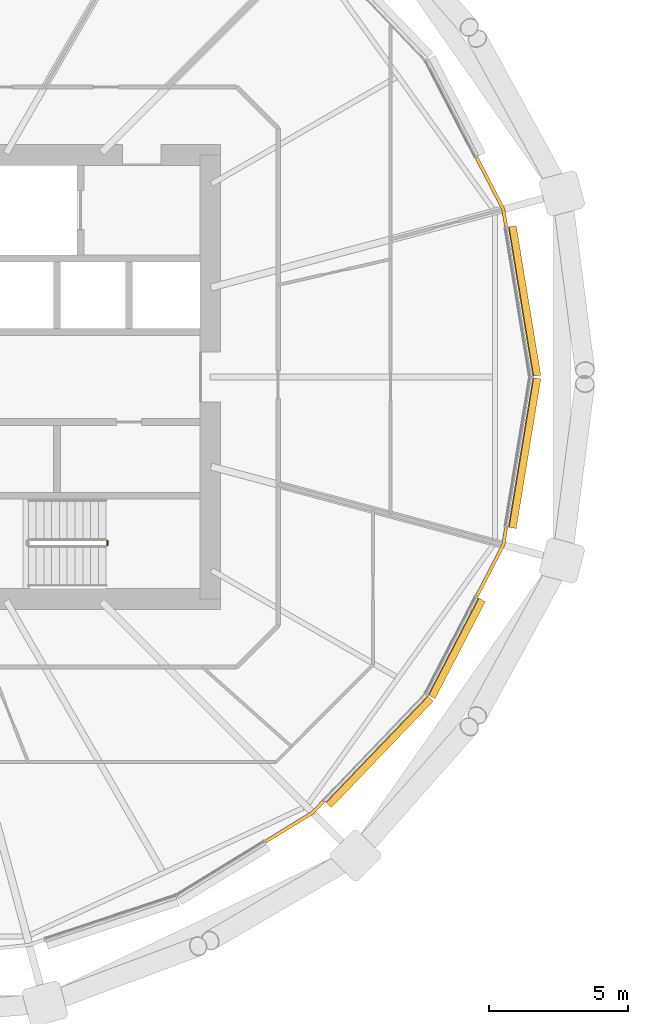
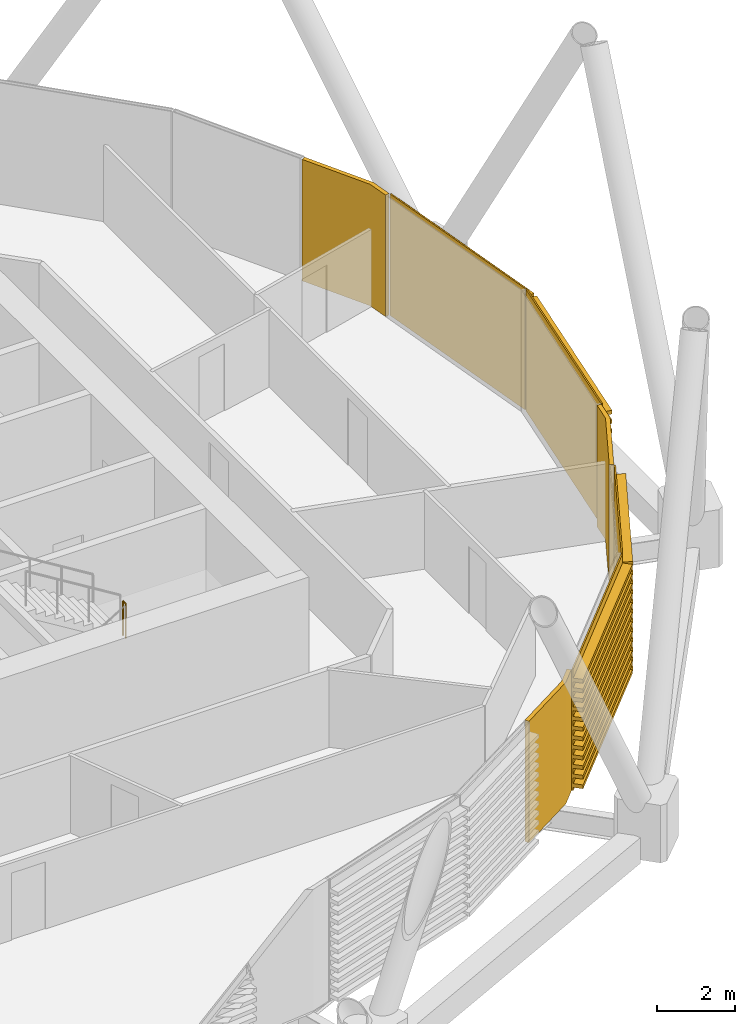
# One storey, part 33 of 38: 7 coverings, 1 railing.
"""IFC4 building model written with IfcOpenShell, lengths in metres."""

import ifcopenshell
import ifcopenshell.guid

model = None  # the IFC model being written
_history = None  # IfcOwnerHistory: only IFC2X3 demands one
_inside = {}  # id of a spatial element -> (the spatial element, [elements in it])
_under = {}  # id of a project, library or spatial element -> (it, [spatial elements below it])
_declared = {}  # id of a project -> (the project, [libraries it declares])
_typed = {}  # id of a type object -> (the type object, [elements of that type])
_made_of = {}  # id of a material, layer set ... -> (it, [elements and type objects made of it])


def new_model(schema):
    """Start an empty IFC model of exactly this schema.

    Asked for "IFC4X3", IfcOpenShell would pick the latest addendum, in which some entities
    have other attributes; the version numbers below select the first issue.
    IFC2X3 requires an IfcOwnerHistory on every rooted entity: one is made here for all.
    """
    global model, _history
    if schema == "IFC4X3":
        model = ifcopenshell.file(schema_version=(4, 3, 0, 0))
    else:
        model = ifcopenshell.file(schema=schema)
    _inside.clear()
    _under.clear()
    _declared.clear()
    _typed.clear()
    _made_of.clear()
    _history = None
    if model.schema == "IFC2X3":
        org = make("IfcOrganization", Name="unknown")
        user = make(
            "IfcPersonAndOrganization",
            ThePerson=make("IfcPerson", FamilyName="unknown"),
            TheOrganization=org,
        )
        app = make(
            "IfcApplication",
            ApplicationDeveloper=org,
            Version="unknown",
            ApplicationFullName="unknown",
            ApplicationIdentifier="unknown",
        )
        _history = make(
            "IfcOwnerHistory",
            OwningUser=user,
            OwningApplication=app,
            ChangeAction="ADDED",
            CreationDate=0,
        )
    return model


def make(cls, **values):
    """One entity of the class cls with the attributes given. An attribute that is None is left unset."""
    return model.create_entity(
        cls, **{name: value for name, value in values.items() if value is not None}
    )


def rooted(cls, **values):
    """An entity with a GlobalId (a new one), such as an element, a storey or a relation."""
    return make(cls, GlobalId=ifcopenshell.guid.new(), OwnerHistory=_history, **values)


def si_unit(unit_type, name, prefix=None):
    """IfcSIUnit, for example si_unit("LENGTHUNIT", "METRE", prefix="MILLI")."""
    return make("IfcSIUnit", UnitType=unit_type, Prefix=prefix, Name=name)


def assignment(units):
    """IfcUnitAssignment: the units of a project."""
    return None if units is None else make("IfcUnitAssignment", Units=units)


def point(xyz):
    """IfcCartesianPoint."""
    return None if xyz is None else make("IfcCartesianPoint", Coordinates=xyz)


def direction(xyz):
    """IfcDirection."""
    return None if xyz is None else make("IfcDirection", DirectionRatios=xyz)


def frame(location, z_axis=None, x_axis=None):
    """IfcAxis2Placement3D, a coordinate frame: its origin and axes. An axis left out is left unset."""
    return make(
        "IfcAxis2Placement3D",
        Location=point(location),
        Axis=direction(z_axis),
        RefDirection=direction(x_axis),
    )


def frame_2d(location, x_axis=None):
    """IfcAxis2Placement2D, a coordinate frame in the plane: its origin and x axis."""
    return make(
        "IfcAxis2Placement2D", Location=point(location), RefDirection=direction(x_axis)
    )


def origin():
    """The frame at (0, 0, 0) with its axes left unset."""
    return frame((0.0, 0.0, 0.0))


def origin_2d():
    """The frame at (0, 0) in the plane with its x axis left unset."""
    return frame_2d((0.0, 0.0))


def place(relative_to, where):
    """IfcLocalPlacement: puts the frame where relative to a parent placement (None: the world)."""
    return make(
        "IfcLocalPlacement", PlacementRelTo=relative_to, RelativePlacement=where
    )


def context(
    kind, dimensions, precision=None, world=None, true_north=None, identifier=None
):
    """IfcGeometricRepresentationContext, for example the 3D "Model" context."""
    return make(
        "IfcGeometricRepresentationContext",
        ContextIdentifier=identifier,
        ContextType=kind,
        CoordinateSpaceDimension=dimensions,
        Precision=precision,
        WorldCoordinateSystem=world,
        TrueNorth=true_north,
    )


def subcontext(parent, identifier, kind, view, scale=None):
    """IfcGeometricRepresentationSubContext, for example "Body" below "Model"."""
    return make(
        "IfcGeometricRepresentationSubContext",
        ContextIdentifier=identifier,
        ContextType=kind,
        ParentContext=parent,
        TargetScale=scale,
        TargetView=view,
    )


def project(units=None, contexts=None):
    """IfcProject with its units and contexts."""
    return rooted(
        "IfcProject",
        Name="project",
        RepresentationContexts=contexts,
        UnitsInContext=assignment(units),
    )


def spatial(cls, under=None, at=None, **own):
    """A site, building, storey or space (cls), placed at a placement, below another one or the project."""
    s = rooted(cls, ObjectPlacement=at, **own)
    if under is not None:
        _under.setdefault(under.id(), (under, []))[1].append(s)
    return s


def polyline(points):
    """IfcPolyline through the points."""
    return make("IfcPolyline", Points=[point(p) for p in points])


def profile(cls, at=None, kind="AREA", **sizes):
    """A parametric profile (cls). Its sizes go by their IFC names, for example OverallWidth=200.0."""
    return make(cls, ProfileType=kind, Position=at, **sizes)


def circle(**sizes):
    """IfcCircleProfileDef."""
    return profile("IfcCircleProfileDef", **sizes)


def outline(outer, holes=None, kind="AREA"):
    """IfcArbitraryClosedProfileDef: a profile drawn as a closed curve; with holes, ...WithVoids."""
    if holes is None:
        return make("IfcArbitraryClosedProfileDef", ProfileType=kind, OuterCurve=outer)
    return make(
        "IfcArbitraryProfileDefWithVoids",
        ProfileType=kind,
        OuterCurve=outer,
        InnerCurves=holes,
    )


def extrude(swept, where, along, depth):
    """IfcExtrudedAreaSolid: the profile swept, set in the frame where, extruded along a direction by depth."""
    return make(
        "IfcExtrudedAreaSolid",
        SweptArea=swept,
        Position=where,
        ExtrudedDirection=direction(along),
        Depth=depth,
    )


def shape(context_of_items, identifier, shape_type, items):
    """IfcShapeRepresentation: the items that make up one representation, for example the "Body"."""
    return make(
        "IfcShapeRepresentation",
        ContextOfItems=context_of_items,
        RepresentationIdentifier=identifier,
        RepresentationType=shape_type,
        Items=items,
    )


def material(Name=None, Category=None):
    """IfcMaterial."""
    return make("IfcMaterial", Name=Name, Category=Category)


def layer(
    of_material, thickness, ventilated=None, Name=None, Category=None, Priority=None
):
    """IfcMaterialLayer: one layer of a wall or slab, of a material (None: an air gap)."""
    return make(
        "IfcMaterialLayer",
        Material=of_material,
        LayerThickness=thickness,
        IsVentilated=ventilated,
        Name=Name,
        Category=Category,
        Priority=Priority,
    )


def layer_set(layers, Name=None):
    """IfcMaterialLayerSet."""
    return make("IfcMaterialLayerSet", MaterialLayers=layers, LayerSetName=Name)


def material_profile(
    of_material, cross_section, Name=None, Category=None, Priority=None
):
    """IfcMaterialProfile: a cross section and its material."""
    return make(
        "IfcMaterialProfile",
        Name=Name,
        Material=of_material,
        Profile=cross_section,
        Priority=Priority,
        Category=Category,
    )


def profile_set(profiles, Name=None, composite=None):
    """IfcMaterialProfileSet."""
    return make(
        "IfcMaterialProfileSet",
        Name=Name,
        MaterialProfiles=profiles,
        CompositeProfile=composite,
    )


def made_of(thing, what):
    """Note that an element or type object is made of a material, layer set ...; save() writes the relation."""
    if what is not None:
        _made_of.setdefault(what.id(), (what, []))[1].append(thing)
    return thing


def type_object(cls, material=None, **own):
    """A type object (cls), such as IfcWallType, which elements share."""
    return made_of(rooted(cls, **own), material)


def element(
    cls,
    number,
    at=None,
    inside=None,
    cuts=None,
    type_object=None,
    material=None,
    context=None,
    identifier="Body",
    shape_type=None,
    held_by="IfcProductDefinitionShape",
    body=None,
    shapes=None,
    **own,
):
    """One element of the class cls, such as IfcWall. Its Tag is "e" and its number.

    at: its placement. inside: the storey or other place that contains it. cuts: it is an
    opening in that element (IfcRelVoidsElement). A single representation is given by context,
    identifier, shape_type and body (its items); several are given by shapes. held_by: the class
    of the entity that holds the representations. save() writes the other relations.
    """
    e = rooted(cls, Tag="e%d" % number, ObjectPlacement=at, **own)
    if body is not None:
        shapes = [shape(context, identifier, shape_type, body)]
    if shapes is not None:
        e.Representation = make(held_by, Representations=shapes)
    if inside is not None:
        _inside.setdefault(inside.id(), (inside, []))[1].append(e)
    if cuts is not None:
        rooted(
            "IfcRelVoidsElement", RelatingBuildingElement=cuts, RelatedOpeningElement=e
        )
    if type_object is not None:
        _typed.setdefault(type_object.id(), (type_object, []))[1].append(e)
    return made_of(e, material)


def aggregate(whole, parts):
    """IfcRelAggregates: a whole, such as a stair, and the parts it consists of."""
    return rooted("IfcRelAggregates", RelatingObject=whole, RelatedObjects=parts)


def save(model, path):
    """Write the relations noted so far, then the file.

    IfcRelAggregates (storeys below a building ...), IfcRelContainedInSpatialStructure (elements
    in a storey), IfcRelDefinesByType, IfcRelAssociatesMaterial and IfcRelDeclares: one each for
    every whole, place, type object, material and project.
    """
    for whole, parts in _under.values():
        aggregate(whole, parts)
    for where, things in _inside.values():
        rooted(
            "IfcRelContainedInSpatialStructure",
            RelatedElements=things,
            RelatingStructure=where,
        )
    for kind, things in _typed.values():
        rooted("IfcRelDefinesByType", RelatedObjects=things, RelatingType=kind)
    for what, things in _made_of.values():
        rooted("IfcRelAssociatesMaterial", RelatedObjects=things, RelatingMaterial=what)
    for by, libraries in _declared.values():
        rooted("IfcRelDeclares", RelatingContext=by, RelatedDefinitions=libraries)
    model.write(path)


model = new_model("IFC4")

# Units and contexts
model_context = context("Model", 3, precision=1e-05, world=origin(), true_north=direction((0.0, 1.0)))
body_context = subcontext(model_context, "Body", "Model", "MODEL_VIEW")
ifc_project = project(units=[si_unit("LENGTHUNIT", "METRE"), si_unit("AREAUNIT", "SQUARE_METRE"), si_unit("VOLUMEUNIT", "CUBIC_METRE"), si_unit("PLANEANGLEUNIT", "RADIAN"), si_unit("MASSUNIT", "GRAM", prefix="KILO")], contexts=[model_context])

# Site, building, storey
site_placement = place(None, origin())
site = spatial("IfcSite", under=ifc_project, at=site_placement, CompositionType="ELEMENT")
building_placement = place(site_placement, origin())
building = spatial("IfcBuilding", under=site, at=building_placement, Name="Rimbun Link Towers", CompositionType="ELEMENT")
storey_placement = place(building_placement, frame((0.0, 0.0, 93.0)))
storey = spatial("IfcBuildingStorey", under=building, at=storey_placement, Name="L22", CompositionType="ELEMENT", Elevation=93.0)

# Coverings
ifc_material_1 = material(Name="Terracotta", Category="masonry")
ifc_layer = layer(ifc_material_1, 0.1201171875)
ifc_layer_set = layer_set([ifc_layer], Name="LINK PIER terracotta cladding 120")
covering_type_1 = type_object("IfcCoveringType", Name="LINK PIER terracotta cladding 120", PredefinedType="CLADDING", material=ifc_layer_set)
covering_1_placement = place(storey_placement, origin())
element("IfcCovering", 1, at=covering_1_placement, inside=storey, type_object=covering_type_1, Name="LINK PIER cladding", PredefinedType="CLADDING", context=body_context, shape_type="SweptSolid", body=[
    extrude(outline(polyline([(-10.198486328125, 7.8681640625), (-9.247314453125, 6.029541015625), (-9.146484375, 5.417724609375), (-9.028076171875, 5.437255859375), (-9.1318359375, 6.06787109375), (-10.091796875, 7.923095703125), (-10.198486328125, 7.8681640625)])), origin(), (0.0, 0.0, 1.0), 3.800048828125),
])
covering_2_placement = place(storey_placement, origin())
element("IfcCovering", 2, at=covering_2_placement, inside=storey, type_object=covering_type_1, Name="LINK PIER cladding", PredefinedType="CLADDING", context=body_context, shape_type="SweptSolid", body=[
    extrude(outline(polyline([(-15.7080078125, -15.236083984375), (-16.102294921875, -15.647705078125), (-17.78125, -16.678466796875), (-17.718505859375, -16.78076171875), (-16.0263671875, -15.74169921875), (-15.621337890625, -15.319091796875), (-15.7080078125, -15.236083984375)])), origin(), (0.0, 0.0, 1.0), 3.800048828125),
])
covering_3_placement = place(storey_placement, origin())
element("IfcCovering", 3, at=covering_3_placement, inside=storey, type_object=covering_type_1, Name="LINK PIER cladding", PredefinedType="CLADDING", context=body_context, shape_type="SweptSolid", body=[
    extrude(outline(polyline([(-9.146484375, -5.417724609375), (-9.247314453125, -6.029541015625), (-10.198486328125, -7.8681640625), (-10.091796875, -7.923095703125), (-9.1318359375, -6.06787109375), (-9.028076171875, -5.437255859375), (-9.146484375, -5.417724609375)])), origin(), (0.0, 0.0, 1.0), 3.800048828125),
])

# Railing
ifc_material_2 = material(Name="Stainless steel grade 316", Category="steel")
railing_type = type_object("IfcRailingType", Name="Stair guard", PredefinedType="GUARDRAIL", material=ifc_material_2)
railing_placement = place(storey_placement, frame((-23.449951171875, -6.050048828125, 1.89990234375)))
element("IfcRailing", 4, at=railing_placement, inside=storey, type_object=railing_type, Name="L22 ST2 stair guard 2", PredefinedType="GUARDRAIL", context=body_context, shape_type="SweptSolid", body=[
    extrude(circle(Radius=0.02392578125, at=origin_2d()), frame((0.0, 0.0, 1.076171875), z_axis=(0.0, 1.0, 0.0), x_axis=(-1.0, 0.0, 0.0)), (0.0, 0.0, 1.0), 0.150146484375),
    extrude(circle(Radius=0.02099609375, at=origin_2d()), origin(), (0.0, 0.0, 1.0), 1.052001953125),
    extrude(circle(Radius=0.02099609375, at=origin_2d()), frame((0.0, 0.150146484375, 0.0)), (0.0, 0.0, 1.0), 1.052001953125),
])

# Coverings
ifc_material_3 = material(Name="Terracotta", Category="masonry")
ifc_material_profile = material_profile(ifc_material_3, outline(polyline([(0.123046875, 0.0), (0.1630859375, 0.0), (0.1630859375, 0.10009765625), (0.423095703125, 0.10009765625), (0.423095703125, 0.219970703125), (0.1630859375, 0.219970703125), (0.1630859375, 0.39990234375), (0.423095703125, 0.39990234375), (0.423095703125, 0.52001953125), (0.1630859375, 0.52001953125), (0.1630859375, 0.699951171875), (0.423095703125, 0.699951171875), (0.423095703125, 0.820068359375), (0.1630859375, 0.820068359375), (0.1630859375, 1.0), (0.423095703125, 1.0), (0.423095703125, 1.1201171875), (0.1630859375, 1.1201171875), (0.1630859375, 1.300048828125), (0.423095703125, 1.300048828125), (0.423095703125, 1.419921875), (0.1630859375, 1.419921875), (0.1630859375, 1.60009765625), (0.423095703125, 1.60009765625), (0.423095703125, 1.719970703125), (0.1630859375, 1.719970703125), (0.1630859375, 1.89990234375), (0.423095703125, 1.89990234375), (0.423095703125, 2.02001953125), (0.1630859375, 2.02001953125), (0.1630859375, 2.199951171875), (0.423095703125, 2.199951171875), (0.423095703125, 2.320068359375), (0.1630859375, 2.320068359375), (0.1630859375, 2.5), (0.423095703125, 2.5), (0.423095703125, 2.6201171875), (0.1630859375, 2.6201171875), (0.1630859375, 2.800048828125), (0.423095703125, 2.800048828125), (0.423095703125, 2.919921875), (0.1630859375, 2.919921875), (0.1630859375, 3.10009765625), (0.423095703125, 3.10009765625), (0.423095703125, 3.219970703125), (0.1630859375, 3.219970703125), (0.1630859375, 3.39990234375), (0.423095703125, 3.39990234375), (0.423095703125, 3.52001953125), (0.1630859375, 3.52001953125), (0.1630859375, 3.800048828125), (0.123046875, 3.800048828125), (0.123046875, 0.0)])), Name="BAGUETTE 120X300")
ifc_profile_set = profile_set([ifc_material_profile], Name="Terracotta")
covering_type_2 = type_object("IfcCoveringType", Name="TERRACOTTA BAGUETTE 120X300 H3800", PredefinedType="CLADDING", material=ifc_profile_set)
covering_4_placement = place(storey_placement, frame((-9.141845703125, 5.38818359375, 0.0), z_axis=(0.162296051621, -0.98674210999, 0.0), x_axis=(0.98674210999, 0.162296051621, 0.0)))
element("IfcCovering", 5, at=covering_4_placement, inside=storey, type_object=covering_type_2, Name="TERRACOTTA BAGUETTE", PredefinedType="CLADDING", context=body_context, shape_type="SweptSolid", body=[
    extrude(outline(polyline([(0.123046875, 0.0), (0.1630859375, 0.0), (0.1630859375, 0.10009765625), (0.423095703125, 0.10009765625), (0.423095703125, 0.219970703125), (0.1630859375, 0.219970703125), (0.1630859375, 0.39990234375), (0.423095703125, 0.39990234375), (0.423095703125, 0.52001953125), (0.1630859375, 0.52001953125), (0.1630859375, 0.699951171875), (0.423095703125, 0.699951171875), (0.423095703125, 0.820068359375), (0.1630859375, 0.820068359375), (0.1630859375, 1.0), (0.423095703125, 1.0), (0.423095703125, 1.1201171875), (0.1630859375, 1.1201171875), (0.1630859375, 1.300048828125), (0.423095703125, 1.300048828125), (0.423095703125, 1.419921875), (0.1630859375, 1.419921875), (0.1630859375, 1.60009765625), (0.423095703125, 1.60009765625), (0.423095703125, 1.719970703125), (0.1630859375, 1.719970703125), (0.1630859375, 1.89990234375), (0.423095703125, 1.89990234375), (0.423095703125, 2.02001953125), (0.1630859375, 2.02001953125), (0.1630859375, 2.199951171875), (0.423095703125, 2.199951171875), (0.423095703125, 2.320068359375), (0.1630859375, 2.320068359375), (0.1630859375, 2.5), (0.423095703125, 2.5), (0.423095703125, 2.6201171875), (0.1630859375, 2.6201171875), (0.1630859375, 2.800048828125), (0.423095703125, 2.800048828125), (0.423095703125, 2.919921875), (0.1630859375, 2.919921875), (0.1630859375, 3.10009765625), (0.423095703125, 3.10009765625), (0.423095703125, 3.219970703125), (0.1630859375, 3.219970703125), (0.1630859375, 3.39990234375), (0.423095703125, 3.39990234375), (0.423095703125, 3.52001953125), (0.1630859375, 3.52001953125), (0.1630859375, 3.800048828125), (0.123046875, 3.800048828125), (0.123046875, 0.0)])), origin(), (0.0, 0.0, 1.0), 5.460693359375),
])
covering_5_placement = place(storey_placement, frame((-12.02099609375, -11.390380859375, 0.0), z_axis=(-0.6920414756, -0.721857739482, 0.0), x_axis=(0.721857739482, -0.6920414756, 0.0)))
element("IfcCovering", 6, at=covering_5_placement, inside=storey, type_object=covering_type_2, Name="TERRACOTTA BAGUETTE", PredefinedType="CLADDING", context=body_context, shape_type="SweptSolid", body=[
    extrude(outline(polyline([(0.123046875, 0.0), (0.1630859375, 0.0), (0.1630859375, 0.10009765625), (0.423095703125, 0.10009765625), (0.423095703125, 0.219970703125), (0.1630859375, 0.219970703125), (0.1630859375, 0.39990234375), (0.423095703125, 0.39990234375), (0.423095703125, 0.52001953125), (0.1630859375, 0.52001953125), (0.1630859375, 0.699951171875), (0.423095703125, 0.699951171875), (0.423095703125, 0.820068359375), (0.1630859375, 0.820068359375), (0.1630859375, 1.0), (0.423095703125, 1.0), (0.423095703125, 1.1201171875), (0.1630859375, 1.1201171875), (0.1630859375, 1.300048828125), (0.423095703125, 1.300048828125), (0.423095703125, 1.419921875), (0.1630859375, 1.419921875), (0.1630859375, 1.60009765625), (0.423095703125, 1.60009765625), (0.423095703125, 1.719970703125), (0.1630859375, 1.719970703125), (0.1630859375, 1.89990234375), (0.423095703125, 1.89990234375), (0.423095703125, 2.02001953125), (0.1630859375, 2.02001953125), (0.1630859375, 2.199951171875), (0.423095703125, 2.199951171875), (0.423095703125, 2.320068359375), (0.1630859375, 2.320068359375), (0.1630859375, 2.5), (0.423095703125, 2.5), (0.423095703125, 2.6201171875), (0.1630859375, 2.6201171875), (0.1630859375, 2.800048828125), (0.423095703125, 2.800048828125), (0.423095703125, 2.919921875), (0.1630859375, 2.919921875), (0.1630859375, 3.10009765625), (0.423095703125, 3.10009765625), (0.423095703125, 3.219970703125), (0.1630859375, 3.219970703125), (0.1630859375, 3.39990234375), (0.423095703125, 3.39990234375), (0.423095703125, 3.52001953125), (0.1630859375, 3.52001953125), (0.1630859375, 3.800048828125), (0.123046875, 3.800048828125), (0.123046875, 0.0)])), origin(), (0.0, 0.0, 1.0), 5.2978515625),
])
covering_6_placement = place(storey_placement, frame((-10.212158203125, -7.894775390625, 0.0), z_axis=(-0.459576472812, -0.888138201879, 0.0), x_axis=(0.888138201879, -0.459576472812, 0.0)))
element("IfcCovering", 7, at=covering_6_placement, inside=storey, type_object=covering_type_2, Name="TERRACOTTA BAGUETTE", PredefinedType="CLADDING", context=body_context, shape_type="SweptSolid", body=[
    extrude(outline(polyline([(0.123046875, 0.0), (0.1630859375, 0.0), (0.1630859375, 0.10009765625), (0.423095703125, 0.10009765625), (0.423095703125, 0.219970703125), (0.1630859375, 0.219970703125), (0.1630859375, 0.39990234375), (0.423095703125, 0.39990234375), (0.423095703125, 0.52001953125), (0.1630859375, 0.52001953125), (0.1630859375, 0.699951171875), (0.423095703125, 0.699951171875), (0.423095703125, 0.820068359375), (0.1630859375, 0.820068359375), (0.1630859375, 1.0), (0.423095703125, 1.0), (0.423095703125, 1.1201171875), (0.1630859375, 1.1201171875), (0.1630859375, 1.300048828125), (0.423095703125, 1.300048828125), (0.423095703125, 1.419921875), (0.1630859375, 1.419921875), (0.1630859375, 1.60009765625), (0.423095703125, 1.60009765625), (0.423095703125, 1.719970703125), (0.1630859375, 1.719970703125), (0.1630859375, 1.89990234375), (0.423095703125, 1.89990234375), (0.423095703125, 2.02001953125), (0.1630859375, 2.02001953125), (0.1630859375, 2.199951171875), (0.423095703125, 2.199951171875), (0.423095703125, 2.320068359375), (0.1630859375, 2.320068359375), (0.1630859375, 2.5), (0.423095703125, 2.5), (0.423095703125, 2.6201171875), (0.1630859375, 2.6201171875), (0.1630859375, 2.800048828125), (0.423095703125, 2.800048828125), (0.423095703125, 2.919921875), (0.1630859375, 2.919921875), (0.1630859375, 3.10009765625), (0.423095703125, 3.10009765625), (0.423095703125, 3.219970703125), (0.1630859375, 3.219970703125), (0.1630859375, 3.39990234375), (0.423095703125, 3.39990234375), (0.423095703125, 3.52001953125), (0.1630859375, 3.52001953125), (0.1630859375, 3.800048828125), (0.123046875, 3.800048828125), (0.123046875, 0.0)])), origin(), (0.0, 0.0, 1.0), 3.935791015625),
])
covering_7_placement = place(storey_placement, frame((-8.255615234375, 0.0, 0.0), z_axis=(-0.162296051621, -0.98674210999, 0.0), x_axis=(0.98674210999, -0.162296051621, 0.0)))
element("IfcCovering", 8, at=covering_7_placement, inside=storey, type_object=covering_type_2, Name="TERRACOTTA BAGUETTE", PredefinedType="CLADDING", context=body_context, shape_type="SweptSolid", body=[
    extrude(outline(polyline([(0.123046875, 0.0), (0.1630859375, 0.0), (0.1630859375, 0.10009765625), (0.423095703125, 0.10009765625), (0.423095703125, 0.219970703125), (0.1630859375, 0.219970703125), (0.1630859375, 0.39990234375), (0.423095703125, 0.39990234375), (0.423095703125, 0.52001953125), (0.1630859375, 0.52001953125), (0.1630859375, 0.699951171875), (0.423095703125, 0.699951171875), (0.423095703125, 0.820068359375), (0.1630859375, 0.820068359375), (0.1630859375, 1.0), (0.423095703125, 1.0), (0.423095703125, 1.1201171875), (0.1630859375, 1.1201171875), (0.1630859375, 1.300048828125), (0.423095703125, 1.300048828125), (0.423095703125, 1.419921875), (0.1630859375, 1.419921875), (0.1630859375, 1.60009765625), (0.423095703125, 1.60009765625), (0.423095703125, 1.719970703125), (0.1630859375, 1.719970703125), (0.1630859375, 1.89990234375), (0.423095703125, 1.89990234375), (0.423095703125, 2.02001953125), (0.1630859375, 2.02001953125), (0.1630859375, 2.199951171875), (0.423095703125, 2.199951171875), (0.423095703125, 2.320068359375), (0.1630859375, 2.320068359375), (0.1630859375, 2.5), (0.423095703125, 2.5), (0.423095703125, 2.6201171875), (0.1630859375, 2.6201171875), (0.1630859375, 2.800048828125), (0.423095703125, 2.800048828125), (0.423095703125, 2.919921875), (0.1630859375, 2.919921875), (0.1630859375, 3.10009765625), (0.423095703125, 3.10009765625), (0.423095703125, 3.219970703125), (0.1630859375, 3.219970703125), (0.1630859375, 3.39990234375), (0.423095703125, 3.39990234375), (0.423095703125, 3.52001953125), (0.1630859375, 3.52001953125), (0.1630859375, 3.800048828125), (0.123046875, 3.800048828125), (0.123046875, 0.0)])), origin(), (0.0, 0.0, 1.0), 5.460693359375),
])

save(model, "model.ifc")
